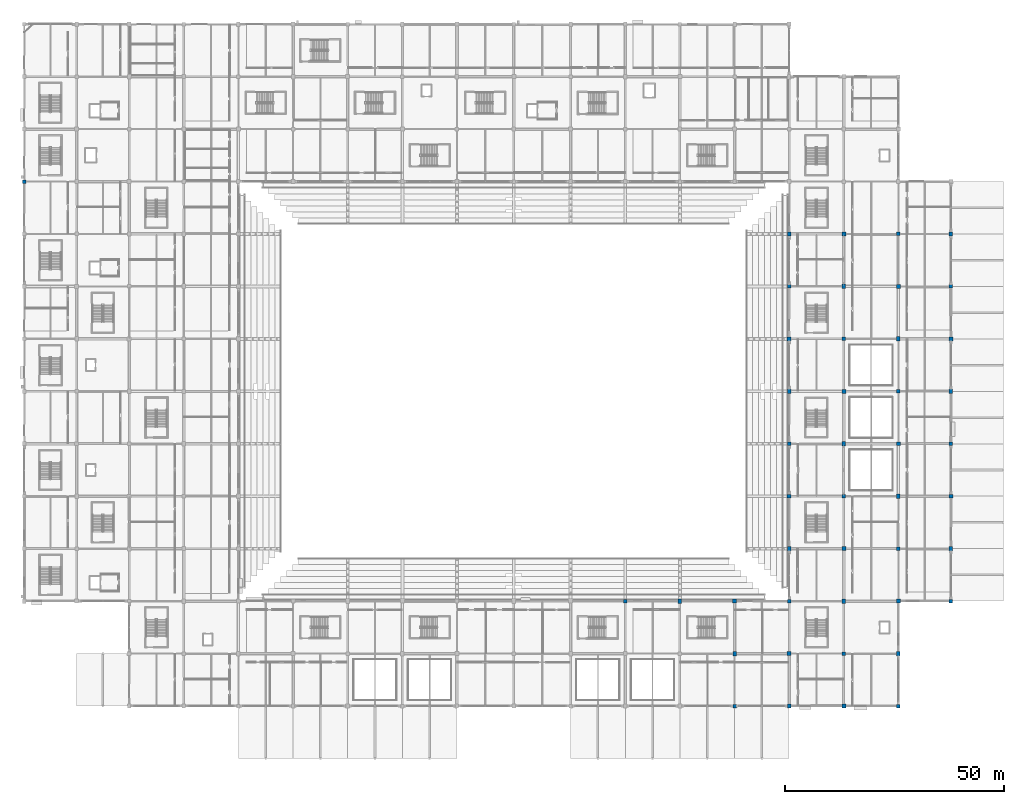
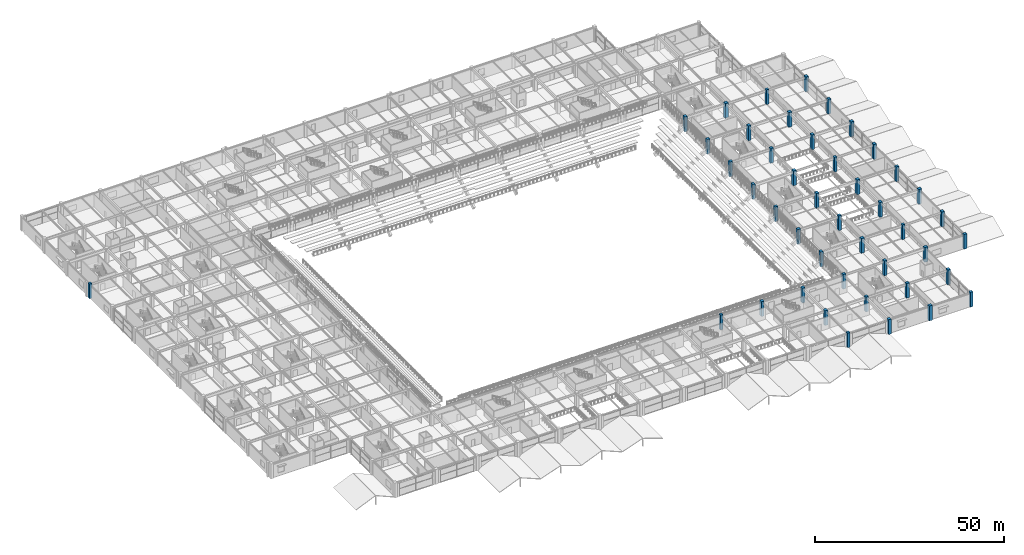
# One storey, part 2 of 134: 44 columns.
"""IFC4 building model written with IfcOpenShell, lengths in metres."""

from ifc_helpers import new_model, si_unit, direction, frame, origin, origin_2d, place, context, subcontext, project, spatial, rectangle, extrude, material, material_profile, profile_set, type_object, element, save


model = new_model("IFC4")

# Units and contexts
model_context = context("Model", 3, precision=1e-05, world=origin(), true_north=direction((0.0, 1.0)))
body_context = subcontext(model_context, "Body", "Model", "MODEL_VIEW")
ifc_project = project(units=[si_unit("LENGTHUNIT", "METRE"), si_unit("AREAUNIT", "SQUARE_METRE"), si_unit("VOLUMEUNIT", "CUBIC_METRE"), si_unit("PLANEANGLEUNIT", "RADIAN"), si_unit("MASSUNIT", "GRAM", prefix="KILO")], contexts=[model_context])

# Site, building, storey
site_placement = place(None, origin())
site = spatial("IfcSite", under=ifc_project, at=site_placement, CompositionType="ELEMENT")
building_placement = place(site_placement, origin())
building = spatial("IfcBuilding", under=site, at=building_placement, Name="Kazenohara Klinker Stadium", CompositionType="ELEMENT")
storey_placement = place(building_placement, frame((0.0, 0.0, 5.39990234375)))
storey = spatial("IfcBuildingStorey", under=building, at=storey_placement, Name="L01", CompositionType="ELEMENT", Elevation=5.39990234375)

# Columns
ifc_material = material(Name="Concrete C40/50", Category="concrete")
ifc_material_profile_1 = material_profile(ifc_material, rectangle(XDim=0.800048828125, YDim=1.0, at=origin_2d()), Name="RC-COL-1000x800")
ifc_profile_set_1 = profile_set([ifc_material_profile_1], Name="Concrete C40/50")
column_type_1 = type_object("IfcColumnType", Name="COL-RC03", PredefinedType="COLUMN", material=ifc_profile_set_1)
for number, where, z_axis, x_axis, name in (
    (1, (150.0, 36.0, 0.0), (0.0, 0.0, 1.0), (1.0, 0.0, 0.0), "Column C03 L01 13/D"),
    (2, (162.5, 24.0, 0.0), (0.0, 0.0, 1.0), (1.0, 0.0, 0.0), "Column C03 L01 14/C"),
    (3, (175.0, 12.0, 0.0), (0.0, 0.0, 1.0), (1.0, 0.0, 0.0), "Column C03 L01 15/B"),
    (4, (175.0, 48.0, 0.0), (0.0, 0.0, 1.0), (1.0, 0.0, 0.0), "Column C03 L01 15/E"),
    (5, (175.0, 84.0, 0.0), (0.0, 0.0, 1.0), (1.0, 0.0, 0.0), "Column C03 L01 15/H"),
    (6, (175.0, 120.0, 0.0), (0.0, 0.0, 1.0), (1.0, 0.0, 0.0), "Column C03 L01 15/L"),
    (7, (187.5, 36.0, 0.0), (0.0, 0.0, 1.0), (1.0, 0.0, 0.0), "Column C03 L01 16/D"),
    (8, (187.5, 72.0, 0.0), (0.0, 0.0, 1.0), (1.0, 0.0, 0.0), "Column C03 L01 16/G"),
    (9, (187.5, 108.0, 0.0), (0.0, 0.0, 1.0), (1.0, 0.0, 0.0), "Column C03 L01 16/K"),
    (10, (200.0, 24.0, 0.0), (0.0, 0.0, 1.0), (1.0, 0.0, 0.0), "Column C03 L01 17/C"),
    (11, (200.0, 60.0, 0.0), (0.0, 0.0, 1.0), (1.0, 0.0, 0.0), "Column C03 L01 17/F"),
    (12, (200.0, 96.0, 0.0), (0.0, 0.0, 1.0), (1.0, 0.0, 0.0), "Column C03 L01 17/J"),
    (13, (212.0, 48.0, 0.0), (0.0, 0.0, 1.0), (1.0, 0.0, 0.0), "Column C03 L01 18/E"),
    (14, (212.0, 84.0, 0.0), (0.0, 0.0, 1.0), (1.0, 0.0, 0.0), "Column C03 L01 18/H"),
    (15, (212.0, 120.0, 0.0), (0.0, 0.0, 1.0), (1.0, 0.0, 0.0), "Column C03 L01 18/L"),
):
    element("IfcColumn", number, at=place(storey_placement, frame(where, z_axis=z_axis, x_axis=x_axis)), inside=storey, type_object=column_type_1, Name=name, PredefinedType="COLUMN", context=body_context, shape_type="SweptSolid", body=[
        extrude(rectangle(XDim=0.800048828125, YDim=1.0, at=origin_2d()), origin(), (0.0, 0.0, 1.0), 4.800048828125),
    ])
ifc_material_profile_2 = material_profile(ifc_material, rectangle(XDim=0.89990234375, YDim=0.89990234375, at=origin_2d()), Name="RC-COL-900x900")
ifc_profile_set_2 = profile_set([ifc_material_profile_2], Name="Concrete C40/50")
column_type_2 = type_object("IfcColumnType", Name="COL-RC04", PredefinedType="COLUMN", material=ifc_profile_set_2)
for number, where, z_axis, x_axis, name in (
    (16, (162.5, 36.0, 0.0), (0.0, 0.0, 1.0), (1.0, 0.0, 0.0), "Column C04 L01 14/D"),
    (17, (175.0, 24.0, 0.0), (0.0, 0.0, 1.0), (1.0, 0.0, 0.0), "Column C04 L01 15/C"),
    (18, (175.0, 60.0, 0.0), (0.0, 0.0, 1.0), (1.0, 0.0, 0.0), "Column C04 L01 15/F"),
    (19, (175.0, 96.0, 0.0), (0.0, 0.0, 1.0), (1.0, 0.0, 0.0), "Column C04 L01 15/J"),
    (20, (187.5, 12.0, 0.0), (0.0, 0.0, 1.0), (1.0, 0.0, 0.0), "Column C04 L01 16/B"),
    (21, (187.5, 48.0, 0.0), (0.0, 0.0, 1.0), (1.0, 0.0, 0.0), "Column C04 L01 16/E"),
    (22, (187.5, 84.0, 0.0), (0.0, 0.0, 1.0), (1.0, 0.0, 0.0), "Column C04 L01 16/H"),
    (23, (187.5, 120.0, 0.0), (0.0, 0.0, 1.0), (1.0, 0.0, 0.0), "Column C04 L01 16/L"),
    (24, (200.0, 36.0, 0.0), (0.0, 0.0, 1.0), (1.0, 0.0, 0.0), "Column C04 L01 17/D"),
    (25, (200.0, 72.0, 0.0), (0.0, 0.0, 1.0), (1.0, 0.0, 0.0), "Column C04 L01 17/G"),
    (26, (200.0, 108.0, 0.0), (0.0, 0.0, 1.0), (1.0, 0.0, 0.0), "Column C04 L01 17/K"),
    (27, (212.0, 60.0, 0.0), (0.0, 0.0, 1.0), (1.0, 0.0, 0.0), "Column C04 L01 18/F"),
    (28, (212.0, 96.0, 0.0), (0.0, 0.0, 1.0), (1.0, 0.0, 0.0), "Column C04 L01 18/J"),
):
    element("IfcColumn", number, at=place(storey_placement, frame(where, z_axis=z_axis, x_axis=x_axis)), inside=storey, type_object=column_type_2, Name=name, PredefinedType="COLUMN", context=body_context, shape_type="SweptSolid", body=[
        extrude(rectangle(XDim=0.89990234375, YDim=0.89990234375, at=origin_2d()), origin(), (0.0, 0.0, 1.0), 4.800048828125),
    ])
ifc_material_profile_3 = material_profile(ifc_material, rectangle(XDim=0.800048828125, YDim=0.800048828125, at=origin_2d()), Name="RC-COL-800x800")
ifc_profile_set_3 = profile_set([ifc_material_profile_3], Name="Concrete C40/50")
column_type_3 = type_object("IfcColumnType", Name="COL-RC05", PredefinedType="COLUMN", material=ifc_profile_set_3)
for number, where, z_axis, x_axis, name in (
    (29, (0.0, 132.0, 0.0), (0.0, 0.0, 1.0), (1.0, 0.0, 0.0), "Column C05 L01 1/M"),
    (30, (137.5, 36.0, 0.0), (0.0, 0.0, 1.0), (1.0, 0.0, 0.0), "Column C05 L01 12/D"),
    (31, (162.5, 12.0, 0.0), (0.0, 0.0, 1.0), (1.0, 0.0, 0.0), "Column C05 L01 14/B"),
    (32, (175.0, 36.0, 0.0), (0.0, 0.0, 1.0), (1.0, 0.0, 0.0), "Column C05 L01 15/D"),
    (33, (175.0, 72.0, 0.0), (0.0, 0.0, 1.0), (1.0, 0.0, 0.0), "Column C05 L01 15/G"),
    (34, (175.0, 108.0, 0.0), (0.0, 0.0, 1.0), (1.0, 0.0, 0.0), "Column C05 L01 15/K"),
    (35, (187.5, 24.0, 0.0), (0.0, 0.0, 1.0), (1.0, 0.0, 0.0), "Column C05 L01 16/C"),
    (36, (187.5, 60.0, 0.0), (0.0, 0.0, 1.0), (1.0, 0.0, 0.0), "Column C05 L01 16/F"),
    (37, (187.5, 96.0, 0.0), (0.0, 0.0, 1.0), (1.0, 0.0, 0.0), "Column C05 L01 16/J"),
    (38, (200.0, 12.0, 0.0), (0.0, 0.0, 1.0), (1.0, 0.0, 0.0), "Column C05 L01 17/B"),
    (39, (200.0, 48.0, 0.0), (0.0, 0.0, 1.0), (1.0, 0.0, 0.0), "Column C05 L01 17/E"),
    (40, (200.0, 84.0, 0.0), (0.0, 0.0, 1.0), (1.0, 0.0, 0.0), "Column C05 L01 17/H"),
    (41, (200.0, 120.0, 0.0), (0.0, 0.0, 1.0), (1.0, 0.0, 0.0), "Column C05 L01 17/L"),
    (42, (212.0, 36.0, 0.0), (0.0, 0.0, 1.0), (1.0, 0.0, 0.0), "Column C05 L01 18/D"),
    (43, (212.0, 72.0, 0.0), (0.0, 0.0, 1.0), (1.0, 0.0, 0.0), "Column C05 L01 18/G"),
    (44, (212.0, 108.0, 0.0), (0.0, 0.0, 1.0), (1.0, 0.0, 0.0), "Column C05 L01 18/K"),
):
    element("IfcColumn", number, at=place(storey_placement, frame(where, z_axis=z_axis, x_axis=x_axis)), inside=storey, type_object=column_type_3, Name=name, PredefinedType="COLUMN", context=body_context, shape_type="SweptSolid", body=[
        extrude(rectangle(XDim=0.800048828125, YDim=0.800048828125, at=origin_2d()), origin(), (0.0, 0.0, 1.0), 4.800048828125),
    ])

save(model, "model.ifc")
